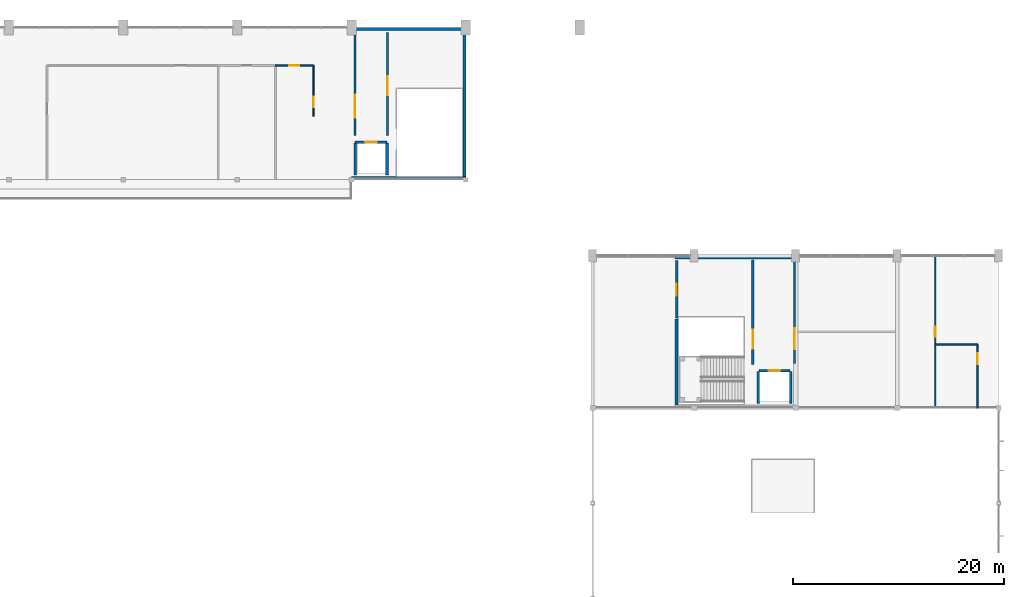
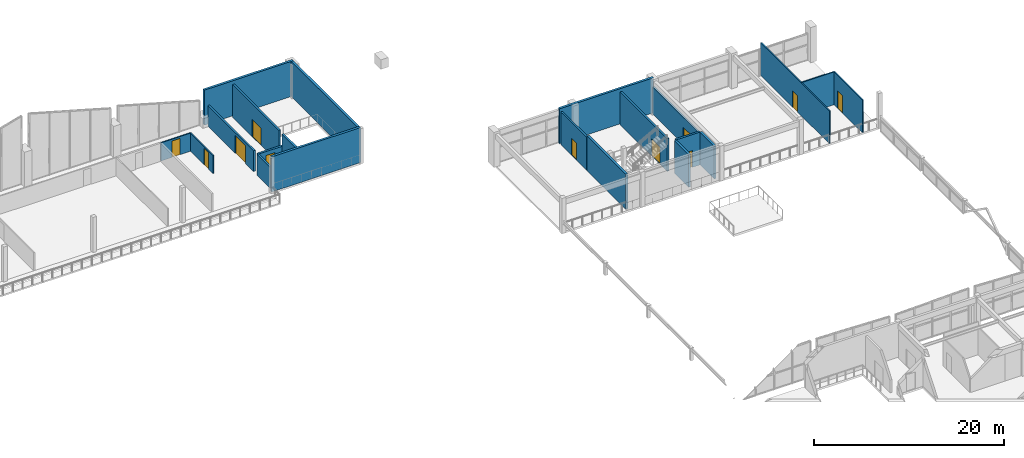
# One storey, part 71 of 89: 21 walls, 11 doors, 11 openings.
"""IFC4 building model written with IfcOpenShell, lengths in metres."""

from ifc_helpers import new_model, si_unit, direction, frame, frame_2d, origin, place, context, subcontext, project, spatial, rectangle, extrude, material, layer, layer_set, type_object, element, fill, save


model = new_model("IFC4")

# Units and contexts
model_context = context("Model", 3, precision=1e-05, world=origin(), true_north=direction((0.0, 1.0)))
body_context = subcontext(model_context, "Body", "Model", "MODEL_VIEW")
ifc_project = project(units=[si_unit("LENGTHUNIT", "METRE"), si_unit("AREAUNIT", "SQUARE_METRE"), si_unit("VOLUMEUNIT", "CUBIC_METRE"), si_unit("PLANEANGLEUNIT", "RADIAN"), si_unit("MASSUNIT", "GRAM", prefix="KILO")], contexts=[model_context])

# Site, building, storey
site_placement = place(None, origin())
site = spatial("IfcSite", under=ifc_project, at=site_placement, CompositionType="ELEMENT")
building_placement = place(site_placement, origin())
building = spatial("IfcBuilding", under=site, at=building_placement, Name="Suirenkawa Promenade Aquatics Centre", CompositionType="ELEMENT")
storey_placement = place(building_placement, frame((0.0, 0.0, 9.60009765625)))
storey = spatial("IfcBuildingStorey", under=building, at=storey_placement, Name="L02", CompositionType="ELEMENT", Elevation=9.60009765625)

# Walls
ifc_material_1 = material(Name="Concrete M40", Category="concrete")
ifc_layer_1 = layer(ifc_material_1, 0.280029296875, Name="Concrete M40", Category="concrete")
ifc_layer_set_1 = layer_set([ifc_layer_1], Name="Concrete M40")
wall_type_1 = type_object("IfcWallType", Name="WT-CORE-280", PredefinedType="SHEAR", material=ifc_layer_set_1)
for number, where, z_axis, x_axis, name in (
    (1, (133.199951171875, 108.139892578125, 0.0), (0.0, 0.0, 1.0), (1.0, 0.0, 0.0), "C4 south core wall WL-CORE-02 W-0133"),
    (2, (133.199951171875, 122.260009765625, 0.0), (0.0, 0.0, 1.0), (1.0, 0.0, 0.0), "C4 north core wall WL-CORE-02 W-0134"),
):
    element("IfcWall", number, at=place(storey_placement, frame(where, z_axis=z_axis, x_axis=x_axis)), inside=storey, type_object=wall_type_1, Name=name, PredefinedType="SHEAR", context=body_context, shape_type="SweptSolid", body=[
        extrude(rectangle(XDim=10.800048828125, YDim=0.280029296875, at=frame_2d((5.39990234375, 0.0))), origin(), (0.0, 0.0, 1.0), 4.5),
    ])
wall_1_placement = place(storey_placement, frame((143.860107421875, 108.280029296875, 0.0), z_axis=(0.0, 0.0, 1.0), x_axis=(0.0, 1.0, 0.0)))
element("IfcWall", 3, at=wall_1_placement, inside=storey, type_object=wall_type_1, Name="C4 east core wall WL-CORE-02 W-0135", PredefinedType="SHEAR", context=body_context, shape_type="SweptSolid", body=[
    extrude(rectangle(XDim=13.840087890625, YDim=0.280029296875, at=frame_2d((6.919921875, 0.0))), origin(), (0.0, 0.0, 1.0), 4.5),
])
wall_2_placement = place(storey_placement, frame((163.800048828125, 100.659912109375, 0.0), z_axis=(0.0, 0.0, 1.0), x_axis=(1.0, 0.0, 0.0)))
element("IfcWall", 4, at=wall_2_placement, inside=storey, type_object=wall_type_1, Name="C5 north core wall WL-CORE-02 W-0147", PredefinedType="SHEAR", context=body_context, shape_type="SweptSolid", body=[
    extrude(rectangle(XDim=11.39990234375, YDim=0.280029296875, at=frame_2d((5.699951171875, 0.0))), origin(), (0.0, 0.0, 1.0), 4.5),
])
wall_3_placement = place(storey_placement, frame((163.93994140625, 86.679931640625, 0.0), z_axis=(0.0, 0.0, 1.0), x_axis=(0.0, 1.0, 0.0)))
element("IfcWall", 5, at=wall_3_placement, inside=storey, type_object=wall_type_1, Name="C5 west core wall WL-CORE-02 W-0148", PredefinedType="SHEAR", context=body_context, shape_type="SweptSolid", body=[
    extrude(rectangle(XDim=8.1201171875, YDim=0.280029296875, at=frame_2d((4.06005859375, 0.0))), origin(), (0.0, 0.0, 1.0), 4.5),
])

# Wall, opening, door
ifc_material_2 = material(Name="Concrete M35", Category="concrete")
ifc_layer_2 = layer(ifc_material_2, 0.219970703125, Name="Concrete M35", Category="concrete")
ifc_layer_set_2 = layer_set([ifc_layer_2], Name="Concrete M35")
wall_type_2 = type_object("IfcWallType", Name="WT-LOBBY-220", PredefinedType="PARTITIONING", material=ifc_layer_set_2)
wall_4_placement = place(storey_placement, frame((136.60009765625, 112.199951171875, 0.0), z_axis=(0.0, 0.0, 1.0), x_axis=(0.0, 1.0, 0.0)))
wall_4 = element("IfcWall", 6, at=wall_4_placement, inside=storey, type_object=wall_type_2, Name="Interior wall WL-LOB-01 W-7102", PredefinedType="PARTITIONING", context=body_context, shape_type="SweptSolid", body=[
    extrude(rectangle(XDim=9.699951171875, YDim=0.219970703125, at=frame_2d((4.85009765625, 0.0))), origin(), (0.0, 0.0, 1.0), 4.204833984375),
])
opening_1_placement = place(wall_4_placement, frame((3.800048828125, 0.0, 0.0)))
opening_1 = element("IfcOpeningElement", 7, at=opening_1_placement, cuts=wall_4, Name="Opening ID-02", PredefinedType="OPENING", context=body_context, shape_type="SweptSolid", body=[
    extrude(rectangle(XDim=1.800048828125, YDim=2.199951171875, at=frame_2d((0.89990234375, 1.10009765625))), frame((0.0, 0.119873046875, 0.0), z_axis=(0.0, -1.0, 0.0), x_axis=(1.0, 0.0, 0.0)), (0.0, 0.0, 1.0), 0.239990234375),
])
ifc_material_3 = material(Name="Steel IS 2062 E350 (Grade 350)", Category="steel")
door_type_1 = type_object("IfcDoorType", Name="DT-FD120-1800x2200", OperationType="DOUBLE_DOOR_SINGLE_SWING", PredefinedType="DOOR", material=ifc_material_3)
door_1_placement = place(opening_1_placement, origin())
door_1 = element("IfcDoor", 8, at=door_1_placement, inside=storey, type_object=door_type_1, Name="Interior door ID-02 DR-INT-0066", OperationType="DOUBLE_DOOR_SINGLE_SWING", OverallHeight=2.199951171875, OverallWidth=1.800048828125, PredefinedType="DOOR", context=body_context, shape_type="SweptSolid", body=[
    extrude(rectangle(XDim=1.800048828125, YDim=2.199951171875, at=frame_2d((0.89990234375, 1.10009765625))), frame((0.0, 0.02490234375, 0.0), z_axis=(0.0, -1.0, 0.0), x_axis=(1.0, 0.0, 0.0)), (0.0, 0.0, 1.0), 0.050048828125),
])
fill(opening_1, door_1)

wall_5_placement = place(storey_placement, frame((133.530029296875, 112.199951171875, 0.0), z_axis=(0.0, 0.0, 1.0), x_axis=(0.0, 1.0, 0.0)))
wall_5 = element("IfcWall", 9, at=wall_5_placement, inside=storey, type_object=wall_type_2, Name="Interior wall WL-LOB-01 W-7106", PredefinedType="PARTITIONING", context=body_context, shape_type="SweptSolid", body=[
    extrude(rectangle(XDim=9.60009765625, YDim=0.219970703125, at=frame_2d((4.800048828125, 0.0))), origin(), (0.0, 0.0, 1.0), 2.64990234375),
])
opening_2_placement = place(wall_5_placement, frame((1.64990234375, 0.0, 0.0)))
opening_2 = element("IfcOpeningElement", 10, at=opening_2_placement, cuts=wall_5, Name="Opening DR-FD120", PredefinedType="OPENING", context=body_context, shape_type="SweptSolid", body=[
    extrude(rectangle(XDim=2.199951171875, YDim=2.300048828125, at=frame_2d((1.10009765625, 1.14990234375))), frame((0.0, 0.119873046875, 0.0), z_axis=(0.0, -1.0, 0.0), x_axis=(1.0, 0.0, 0.0)), (0.0, 0.0, 1.0), 0.239990234375),
])
door_type_2 = type_object("IfcDoorType", Name="DT-FD120-2200x2300", OperationType="DOUBLE_DOOR_SINGLE_SWING", PredefinedType="DOOR", material=ifc_material_3)
door_2_placement = place(opening_2_placement, origin())
door_2 = element("IfcDoor", 11, at=door_2_placement, inside=storey, type_object=door_type_2, Name="Interior door DR-FD120 DR-INT-0068", OperationType="DOUBLE_DOOR_SINGLE_SWING", OverallHeight=2.300048828125, OverallWidth=2.199951171875, PredefinedType="DOOR", context=body_context, shape_type="SweptSolid", body=[
    extrude(rectangle(XDim=2.199951171875, YDim=2.300048828125, at=frame_2d((1.10009765625, 1.14990234375))), frame((0.0, 0.02490234375, 0.0), z_axis=(0.0, -1.0, 0.0), x_axis=(1.0, 0.0, 0.0)), (0.0, 0.0, 1.0), 0.050048828125),
])
fill(opening_2, door_2)

wall_6_placement = place(storey_placement, frame((171.14990234375, 90.5, 0.0), z_axis=(0.0, 0.0, 1.0), x_axis=(0.0, 1.0, 0.0)))
wall_6 = element("IfcWall", 12, at=wall_6_placement, inside=storey, type_object=wall_type_2, Name="Interior wall WL-LOB-01 W-7119", PredefinedType="PARTITIONING", context=body_context, shape_type="SweptSolid", body=[
    extrude(rectangle(XDim=9.89990234375, YDim=0.219970703125, at=frame_2d((4.949951171875, 0.0))), origin(), (0.0, 0.0, 1.0), 4.204833984375),
])
opening_3_placement = place(wall_6_placement, frame((1.5, 0.0, 0.0)))
opening_3 = element("IfcOpeningElement", 13, at=opening_3_placement, cuts=wall_6, Name="Opening ID-02", PredefinedType="OPENING", context=body_context, shape_type="SweptSolid", body=[
    extrude(rectangle(XDim=1.800048828125, YDim=2.199951171875, at=frame_2d((0.89990234375, 1.10009765625))), frame((0.0, 0.119873046875, 0.0), z_axis=(0.0, -1.0, 0.0), x_axis=(1.0, 0.0, 0.0)), (0.0, 0.0, 1.0), 0.239990234375),
])
door_3_placement = place(opening_3_placement, origin())
door_3 = element("IfcDoor", 14, at=door_3_placement, inside=storey, type_object=door_type_1, Name="Interior door ID-02 DR-INT-0077", OperationType="DOUBLE_DOOR_SINGLE_SWING", OverallHeight=2.199951171875, OverallWidth=1.800048828125, PredefinedType="DOOR", context=body_context, shape_type="SweptSolid", body=[
    extrude(rectangle(XDim=1.800048828125, YDim=2.199951171875, at=frame_2d((0.89990234375, 1.10009765625))), frame((0.0, 0.02490234375, 0.0), z_axis=(0.0, -1.0, 0.0), x_axis=(1.0, 0.0, 0.0)), (0.0, 0.0, 1.0), 0.050048828125),
])
fill(opening_3, door_3)

wall_7_placement = place(storey_placement, frame((175.090087890625, 90.60009765625, 0.0), z_axis=(0.0, 0.0, 1.0), x_axis=(0.0, 1.0, 0.0)))
wall_7 = element("IfcWall", 15, at=wall_7_placement, inside=storey, type_object=wall_type_2, Name="Interior wall WL-LOB-01 W-7123", PredefinedType="PARTITIONING", context=body_context, shape_type="SweptSolid", body=[
    extrude(rectangle(XDim=9.75, YDim=0.219970703125, at=frame_2d((4.875, 0.0))), origin(), (0.0, 0.0, 1.0), 3.48486328125),
])
opening_4_placement = place(wall_7_placement, frame((1.35009765625, 0.0, 0.0)))
opening_4 = element("IfcOpeningElement", 16, at=opening_4_placement, cuts=wall_7, Name="Opening ID-01", PredefinedType="OPENING", context=body_context, shape_type="SweptSolid", body=[
    extrude(rectangle(XDim=2.0, YDim=2.199951171875, at=frame_2d((1.0, 1.10009765625))), frame((0.0, 0.119873046875, 0.0), z_axis=(0.0, -1.0, 0.0), x_axis=(1.0, 0.0, 0.0)), (0.0, 0.0, 1.0), 0.239990234375),
])
door_type_3 = type_object("IfcDoorType", Name="DT-FD120-2000x2200", OperationType="DOUBLE_DOOR_SINGLE_SWING", PredefinedType="DOOR", material=ifc_material_3)
door_4_placement = place(opening_4_placement, origin())
door_4 = element("IfcDoor", 17, at=door_4_placement, inside=storey, type_object=door_type_3, Name="Interior door ID-01 DR-INT-0079", OperationType="DOUBLE_DOOR_SINGLE_SWING", OverallHeight=2.199951171875, OverallWidth=2.0, PredefinedType="DOOR", context=body_context, shape_type="SweptSolid", body=[
    extrude(rectangle(XDim=2.0, YDim=2.199951171875, at=frame_2d((1.0, 1.10009765625))), frame((0.0, 0.02490234375, 0.0), z_axis=(0.0, -1.0, 0.0), x_axis=(1.0, 0.0, 0.0)), (0.0, 0.0, 1.0), 0.050048828125),
])
fill(opening_4, door_4)

wall_8_placement = place(storey_placement, frame((163.93994140625, 94.89990234375, 0.0), z_axis=(0.0, 0.0, 1.0), x_axis=(0.0, 1.0, 0.0)))
wall_8 = element("IfcWall", 18, at=wall_8_placement, inside=storey, type_object=wall_type_2, Name="Interior wall WL-LOB-01 W-7124", PredefinedType="PARTITIONING", context=body_context, shape_type="SweptSolid", body=[
    extrude(rectangle(XDim=5.4501953125, YDim=0.219970703125, at=frame_2d((2.72509765625, 0.0))), origin(), (0.0, 0.0, 1.0), 4.204833984375),
])
opening_5_placement = place(wall_8_placement, frame((2.10009765625, 0.0, 0.0)))
opening_5 = element("IfcOpeningElement", 19, at=opening_5_placement, cuts=wall_8, Name="Opening ID-03", PredefinedType="OPENING", context=body_context, shape_type="SweptSolid", body=[
    extrude(rectangle(XDim=1.14990234375, YDim=2.199951171875, at=frame_2d((0.574951171875, 1.10009765625))), frame((0.0, 0.119873046875, 0.0), z_axis=(0.0, -1.0, 0.0), x_axis=(1.0, 0.0, 0.0)), (0.0, 0.0, 1.0), 0.239990234375),
])
door_type_4 = type_object("IfcDoorType", Name="DT-FD120-1150x2200", OperationType="NOTDEFINED", PredefinedType="DOOR", material=ifc_material_3)
door_5_placement = place(opening_5_placement, origin())
door_5 = element("IfcDoor", 20, at=door_5_placement, inside=storey, type_object=door_type_4, Name="Interior door ID-03 DR-INT-0080", OperationType="SINGLE_SWING_RIGHT", OverallHeight=2.199951171875, OverallWidth=1.14990234375, PredefinedType="DOOR", context=body_context, shape_type="SweptSolid", body=[
    extrude(rectangle(XDim=1.14990234375, YDim=2.199951171875, at=frame_2d((0.574951171875, 1.10009765625))), frame((0.0, 0.02490234375, 0.0), z_axis=(0.0, -1.0, 0.0), x_axis=(1.0, 0.0, 0.0)), (0.0, 0.0, 1.0), 0.050048828125),
])
fill(opening_5, door_5)

ifc_layer_3 = layer(ifc_material_1, 0.239990234375, Name="Concrete M40", Category="concrete")
ifc_layer_set_3 = layer_set([ifc_layer_3], Name="Concrete M40")
wall_type_3 = type_object("IfcWallType", Name="WT-SHAFT-240", PredefinedType="SOLIDWALL", material=ifc_layer_set_3)
wall_9_placement = place(storey_placement, frame((133.530029296875, 111.550048828125, 0.0), z_axis=(0.0, 0.0, 1.0), x_axis=(1.0, 0.0, 0.0)))
wall_9 = element("IfcWall", 21, at=wall_9_placement, inside=storey, type_object=wall_type_3, Name="Interior wall WL-SHF-01 W-7103", PredefinedType="SOLIDWALL", context=body_context, shape_type="SweptSolid", body=[
    extrude(rectangle(XDim=3.02001953125, YDim=0.239990234375, at=frame_2d((1.510009765625, 0.0))), origin(), (0.0, 0.0, 1.0), 2.64990234375),
])
opening_6_placement = place(wall_9_placement, frame((0.9599609375, 0.0, 0.0)))
opening_6 = element("IfcOpeningElement", 22, at=opening_6_placement, cuts=wall_9, Name="Opening LD-01", PredefinedType="OPENING", context=body_context, shape_type="SweptSolid", body=[
    extrude(rectangle(XDim=1.10009765625, YDim=2.14990234375, at=frame_2d((0.550048828125, 1.074951171875))), frame((0.0, 0.1298828125, 0.0), z_axis=(0.0, -1.0, 0.0), x_axis=(1.0, 0.0, 0.0)), (0.0, 0.0, 1.0), 0.260009765625),
])
ifc_material_4 = material(Name="Marine-grade stainless steel Grade 316L", Category="steel")
door_type_5 = type_object("IfcDoorType", Name="DT-LIFT-1100x2150", OperationType="DOUBLE_DOOR_SLIDING", PredefinedType="DOOR", material=ifc_material_4)
door_6_placement = place(opening_6_placement, origin())
door_6 = element("IfcDoor", 23, at=door_6_placement, inside=storey, type_object=door_type_5, Name="Landing door LD-01 DR-INT-0067", OperationType="DOUBLE_DOOR_SLIDING", OverallHeight=2.14990234375, OverallWidth=1.10009765625, PredefinedType="DOOR", context=body_context, shape_type="SweptSolid", body=[
    extrude(rectangle(XDim=1.10009765625, YDim=2.14990234375, at=frame_2d((0.550048828125, 1.074951171875))), frame((0.0, 0.02490234375, 0.0), z_axis=(0.0, -1.0, 0.0), x_axis=(1.0, 0.0, 0.0)), (0.0, 0.0, 1.0), 0.050048828125),
])
fill(opening_6, door_6)

# Walls
wall_10_placement = place(storey_placement, frame((136.550048828125, 108.449951171875, 0.0), z_axis=(0.0, 0.0, 1.0), x_axis=(0.0, 1.0, 0.0)))
element("IfcWall", 24, at=wall_10_placement, inside=storey, type_object=wall_type_3, Name="Interior wall WL-SHF-01 W-7104", PredefinedType="SOLIDWALL", context=body_context, shape_type="SweptSolid", body=[
    extrude(rectangle(XDim=3.0, YDim=0.239990234375, at=frame_2d((1.5, 0.0))), origin(), (0.0, 0.0, 1.0), 4.204833984375),
])
wall_11_placement = place(storey_placement, frame((133.530029296875, 108.449951171875, 0.0), z_axis=(0.0, 0.0, 1.0), x_axis=(0.0, 1.0, 0.0)))
element("IfcWall", 25, at=wall_11_placement, inside=storey, type_object=wall_type_3, Name="Interior wall WL-SHF-01 W-7105", PredefinedType="SOLIDWALL", context=body_context, shape_type="SweptSolid", body=[
    extrude(rectangle(XDim=3.0, YDim=0.239990234375, at=frame_2d((1.5, 0.0))), origin(), (0.0, 0.0, 1.0), 2.64990234375),
])

# Wall, opening, door
wall_12_placement = place(storey_placement, frame((171.75, 89.949951171875, 0.0), z_axis=(0.0, 0.0, 1.0), x_axis=(1.0, 0.0, 0.0)))
wall_12 = element("IfcWall", 26, at=wall_12_placement, inside=storey, type_object=wall_type_3, Name="Interior wall WL-SHF-01 W-7120", PredefinedType="SOLIDWALL", context=body_context, shape_type="SweptSolid", body=[
    extrude(rectangle(XDim=2.89990234375, YDim=0.239990234375, at=frame_2d((1.449951171875, 0.0))), origin(), (0.0, 0.0, 1.0), 4.204833984375),
])
opening_7_placement = place(wall_12_placement, frame((0.89990234375, 0.0, 0.0)))
opening_7 = element("IfcOpeningElement", 27, at=opening_7_placement, cuts=wall_12, Name="Opening LD-01", PredefinedType="OPENING", context=body_context, shape_type="SweptSolid", body=[
    extrude(rectangle(XDim=1.10009765625, YDim=2.14990234375, at=frame_2d((0.550048828125, 1.074951171875))), frame((0.0, 0.1298828125, 0.0), z_axis=(0.0, -1.0, 0.0), x_axis=(1.0, 0.0, 0.0)), (0.0, 0.0, 1.0), 0.260009765625),
])
door_7_placement = place(opening_7_placement, origin())
door_7 = element("IfcDoor", 28, at=door_7_placement, inside=storey, type_object=door_type_5, Name="Landing door LD-01 DR-INT-0078", OperationType="DOUBLE_DOOR_SLIDING", OverallHeight=2.14990234375, OverallWidth=1.10009765625, PredefinedType="DOOR", context=body_context, shape_type="SweptSolid", body=[
    extrude(rectangle(XDim=1.10009765625, YDim=2.14990234375, at=frame_2d((0.550048828125, 1.074951171875))), frame((0.0, 0.02490234375, 0.0), z_axis=(0.0, -1.0, 0.0), x_axis=(1.0, 0.0, 0.0)), (0.0, 0.0, 1.0), 0.050048828125),
])
fill(opening_7, door_7)

# Walls
for number, where, z_axis, x_axis, name in (
    (29, (171.64990234375, 86.85009765625, 0.0), (0.0, 0.0, 1.0), (0.0, 1.0, 0.0), "Interior wall WL-SHF-01 W-7121"),
    (30, (174.75, 86.85009765625, 0.0), (0.0, 0.0, 1.0), (0.0, 1.0, 0.0), "Interior wall WL-SHF-01 W-7122"),
):
    element("IfcWall", number, at=place(storey_placement, frame(where, z_axis=z_axis, x_axis=x_axis)), inside=storey, type_object=wall_type_3, Name=name, PredefinedType="SOLIDWALL", context=body_context, shape_type="SweptSolid", body=[
        extrude(rectangle(XDim=3.0, YDim=0.239990234375, at=frame_2d((1.5, 0.0))), origin(), (0.0, 0.0, 1.0), 4.204833984375),
    ])

# Wall, opening, door
ifc_material_5 = material(Name="Moisture-resistant acoustic gypsum board")
ifc_layer_4 = layer(ifc_material_5, 0.139892578125, Name="Moisture-resistant acoustic gypsum board")
ifc_layer_set_4 = layer_set([ifc_layer_4], Name="Moisture-resistant acoustic gypsum board")
wall_type_4 = type_object("IfcWallType", Name="WT-STD-140", PredefinedType="PARTITIONING", material=ifc_layer_set_4)
wall_13_placement = place(storey_placement, frame((129.60009765625, 114.0, 0.0), z_axis=(0.0, 0.0, 1.0), x_axis=(0.0, 1.0, 0.0)))
wall_13 = element("IfcWall", 31, at=wall_13_placement, inside=storey, type_object=wall_type_4, Name="Interior wall WL-PRT-04 W-7333", PredefinedType="PARTITIONING", context=body_context, shape_type="SweptSolid", body=[
    extrude(rectangle(XDim=4.800048828125, YDim=0.139892578125, at=frame_2d((2.39990234375, 0.0))), origin(), (0.0, 0.0, 1.0), 2.324951171875),
])
opening_8_placement = place(wall_13_placement, frame((0.868896484375, 0.0, 0.0)))
opening_8 = element("IfcOpeningElement", 32, at=opening_8_placement, cuts=wall_13, Name="Opening ID-11", PredefinedType="OPENING", context=body_context, shape_type="SweptSolid", body=[
    extrude(rectangle(XDim=0.949951171875, YDim=2.10009765625, at=frame_2d((0.47509765625, 1.050048828125))), frame((0.0, 0.079833984375, 0.0), z_axis=(0.0, -1.0, 0.0), x_axis=(1.0, 0.0, 0.0)), (0.0, 0.0, 1.0), 0.159912109375),
])
ifc_material_6 = material(Name="Engineered maple acoustic sports timber", Category="wood")
door_type_6 = type_object("IfcDoorType", Name="DT-STD-950x2100", OperationType="NOTDEFINED", PredefinedType="DOOR", material=ifc_material_6)
door_8_placement = place(opening_8_placement, origin())
door_8 = element("IfcDoor", 33, at=door_8_placement, inside=storey, type_object=door_type_6, Name="Interior door ID-11 DR-INT-0195", OperationType="SINGLE_SWING_LEFT", OverallHeight=2.10009765625, OverallWidth=0.949951171875, PredefinedType="DOOR", context=body_context, shape_type="SweptSolid", body=[
    extrude(rectangle(XDim=0.949951171875, YDim=2.10009765625, at=frame_2d((0.47509765625, 1.050048828125))), frame((0.0, 0.02490234375, 0.0), z_axis=(0.0, -1.0, 0.0), x_axis=(1.0, 0.0, 0.0)), (0.0, 0.0, 1.0), 0.050048828125),
])
fill(opening_8, door_8)

wall_14_placement = place(storey_placement, frame((126.0, 118.800048828125, 0.0), z_axis=(0.0, 0.0, 1.0), x_axis=(1.0, 0.0, 0.0)))
wall_14 = element("IfcWall", 34, at=wall_14_placement, inside=storey, type_object=wall_type_4, Name="Interior wall WL-PRT-04 W-7334", PredefinedType="PARTITIONING", context=body_context, shape_type="SweptSolid", body=[
    extrude(rectangle(XDim=3.60009765625, YDim=0.139892578125, at=frame_2d((1.800048828125, 0.0))), origin(), (0.0, 0.0, 1.0), 2.324951171875),
])
opening_9_placement = place(wall_14_placement, frame((1.324951171875, 0.0, 0.0)))
opening_9 = element("IfcOpeningElement", 35, at=opening_9_placement, cuts=wall_14, Name="Opening ID-11", PredefinedType="OPENING", context=body_context, shape_type="SweptSolid", body=[
    extrude(rectangle(XDim=0.949951171875, YDim=2.10009765625, at=frame_2d((0.47509765625, 1.050048828125))), frame((0.0, 0.079833984375, 0.0), z_axis=(0.0, -1.0, 0.0), x_axis=(1.0, 0.0, 0.0)), (0.0, 0.0, 1.0), 0.159912109375),
])
door_9_placement = place(opening_9_placement, origin())
door_9 = element("IfcDoor", 36, at=door_9_placement, inside=storey, type_object=door_type_6, Name="Interior door ID-11 DR-INT-0196", OperationType="SINGLE_SWING_RIGHT", OverallHeight=2.10009765625, OverallWidth=0.949951171875, PredefinedType="DOOR", context=body_context, shape_type="SweptSolid", body=[
    extrude(rectangle(XDim=0.949951171875, YDim=2.10009765625, at=frame_2d((0.47509765625, 1.050048828125))), frame((0.0, 0.02490234375, 0.0), z_axis=(0.0, -1.0, 0.0), x_axis=(1.0, 0.0, 0.0)), (0.0, 0.0, 1.0), 0.050048828125),
])
fill(opening_9, door_9)

wall_15_placement = place(storey_placement, frame((188.39990234375, 86.39990234375, 0.0), z_axis=(0.0, 0.0, 1.0), x_axis=(0.0, 1.0, 0.0)))
wall_15 = element("IfcWall", 37, at=wall_15_placement, inside=storey, type_object=wall_type_4, Name="Interior wall WL-PRT-04 W-7339", PredefinedType="PARTITIONING", context=body_context, shape_type="SweptSolid", body=[
    extrude(rectangle(XDim=14.400146484375, YDim=0.139892578125, at=frame_2d((7.2001953125, 0.0))), origin(), (0.0, 0.0, 1.0), 4.204833984375),
])
opening_10_placement = place(wall_15_placement, frame((6.72509765625, 0.0, 0.0)))
opening_10 = element("IfcOpeningElement", 38, at=opening_10_placement, cuts=wall_15, Name="Opening ID-11", PredefinedType="OPENING", context=body_context, shape_type="SweptSolid", body=[
    extrude(rectangle(XDim=0.949951171875, YDim=2.10009765625, at=frame_2d((0.47509765625, 1.050048828125))), frame((0.0, 0.079833984375, 0.0), z_axis=(0.0, -1.0, 0.0), x_axis=(1.0, 0.0, 0.0)), (0.0, 0.0, 1.0), 0.159912109375),
])
door_10_placement = place(opening_10_placement, origin())
door_10 = element("IfcDoor", 39, at=door_10_placement, inside=storey, type_object=door_type_6, Name="Interior door ID-11 DR-INT-0199", OperationType="SINGLE_SWING_RIGHT", OverallHeight=2.10009765625, OverallWidth=0.949951171875, PredefinedType="DOOR", context=body_context, shape_type="SweptSolid", body=[
    extrude(rectangle(XDim=0.949951171875, YDim=2.10009765625, at=frame_2d((0.47509765625, 1.050048828125))), frame((0.0, 0.02490234375, 0.0), z_axis=(0.0, -1.0, 0.0), x_axis=(1.0, 0.0, 0.0)), (0.0, 0.0, 1.0), 0.050048828125),
])
fill(opening_10, door_10)

wall_16_placement = place(storey_placement, frame((192.39990234375, 86.39990234375, 0.0), z_axis=(0.0, 0.0, 1.0), x_axis=(0.0, 1.0, 0.0)))
wall_16 = element("IfcWall", 40, at=wall_16_placement, inside=storey, type_object=wall_type_4, Name="Interior wall WL-PRT-04 W-7340", PredefinedType="PARTITIONING", context=body_context, shape_type="SweptSolid", body=[
    extrude(rectangle(XDim=6.0, YDim=0.139892578125, at=frame_2d((3.0, 0.0))), origin(), (0.0, 0.0, 1.0), 4.204833984375),
])
opening_11_placement = place(wall_16_placement, frame((4.155029296875, 0.0, 0.0)))
opening_11 = element("IfcOpeningElement", 41, at=opening_11_placement, cuts=wall_16, Name="Opening ID-08", PredefinedType="OPENING", context=body_context, shape_type="SweptSolid", body=[
    extrude(rectangle(XDim=1.050048828125, YDim=2.199951171875, at=frame_2d((0.52490234375, 1.10009765625))), frame((0.0, 0.079833984375, 0.0), z_axis=(0.0, -1.0, 0.0), x_axis=(1.0, 0.0, 0.0)), (0.0, 0.0, 1.0), 0.159912109375),
])
ifc_material_7 = material(Name="Anodised aluminium 6063-T6", Category="aluminium")
door_type_7 = type_object("IfcDoorType", Name="DT-ACC-1050x2200", OperationType="NOTDEFINED", PredefinedType="DOOR", material=ifc_material_7)
door_11_placement = place(opening_11_placement, origin())
door_11 = element("IfcDoor", 42, at=door_11_placement, inside=storey, type_object=door_type_7, Name="Interior door ID-08 DR-INT-0200", OperationType="SINGLE_SWING_LEFT", OverallHeight=2.199951171875, OverallWidth=1.050048828125, PredefinedType="DOOR", context=body_context, shape_type="SweptSolid", body=[
    extrude(rectangle(XDim=1.050048828125, YDim=2.199951171875, at=frame_2d((0.52490234375, 1.10009765625))), frame((0.0, 0.02490234375, 0.0), z_axis=(0.0, -1.0, 0.0), x_axis=(1.0, 0.0, 0.0)), (0.0, 0.0, 1.0), 0.050048828125),
])
fill(opening_11, door_11)

# Wall
wall_17_placement = place(storey_placement, frame((188.39990234375, 92.39990234375, 0.0), z_axis=(0.0, 0.0, 1.0), x_axis=(1.0, 0.0, 0.0)))
element("IfcWall", 43, at=wall_17_placement, inside=storey, type_object=wall_type_4, Name="Interior wall WL-PRT-04 W-7341", PredefinedType="PARTITIONING", context=body_context, shape_type="SweptSolid", body=[
    extrude(rectangle(XDim=4.0, YDim=0.139892578125, at=frame_2d((2.0, 0.0))), origin(), (0.0, 0.0, 1.0), 4.204833984375),
])

save(model, "model.ifc")
